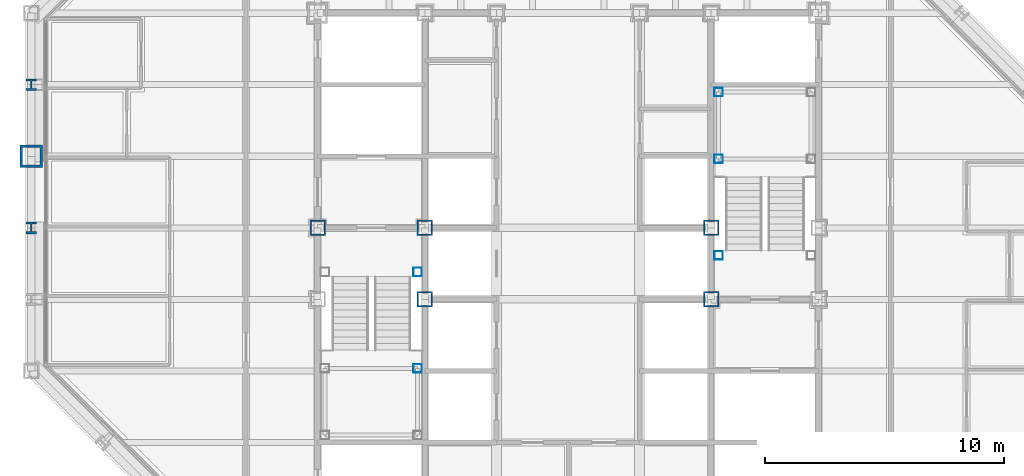
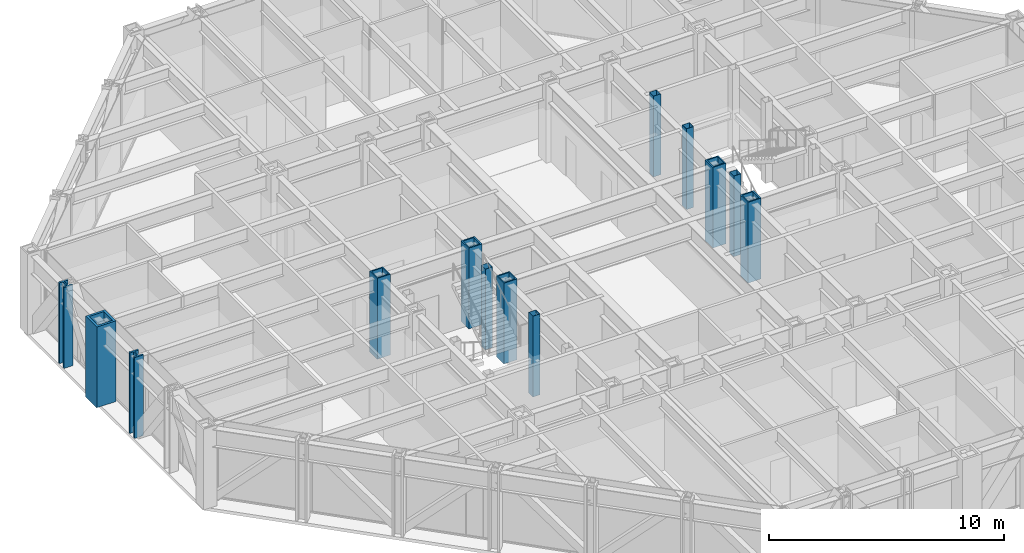
# One storey, part 2 of 16: 13 columns.
"""IFC4 building model written with IfcOpenShell, lengths in metres."""

from ifc_helpers import new_model, si_unit, direction, frame, origin, origin_2d, place, context, subcontext, project, spatial, hollow_rectangle, i_section, extrude, material, material_profile, profile_set, type_object, element, save


model = new_model("IFC4")

# Units and contexts
model_context = context("Model", 3, precision=1e-05, world=origin(), true_north=direction((0.0, 1.0)))
body_context = subcontext(model_context, "Body", "Model", "MODEL_VIEW")
ifc_project = project(units=[si_unit("LENGTHUNIT", "METRE"), si_unit("AREAUNIT", "SQUARE_METRE"), si_unit("VOLUMEUNIT", "CUBIC_METRE"), si_unit("PLANEANGLEUNIT", "RADIAN"), si_unit("MASSUNIT", "GRAM", prefix="KILO")], contexts=[model_context])

# Site, building, storey
site_placement = place(None, origin())
site = spatial("IfcSite", under=ifc_project, at=site_placement, CompositionType="ELEMENT")
building_placement = place(site_placement, origin())
building = spatial("IfcBuilding", under=site, at=building_placement, Name="Chuquiago Exchange Tower", CompositionType="ELEMENT")
storey_placement = place(building_placement, frame((0.0, 0.0, 201.300048828125)))
storey = spatial("IfcBuildingStorey", under=building, at=storey_placement, Name="L44", CompositionType="ELEMENT", Elevation=201.300048828125)

# Columns
ifc_material_1 = material(Name="Steel ASTM A992", Category="steel")
ifc_material_profile_1 = material_profile(ifc_material_1, i_section(OverallWidth=0.431884765625, OverallDepth=0.497802734375, WebThickness=0.0556640625, FlangeThickness=0.0888671875, at=origin_2d()), Name="W14X500")
ifc_profile_set_1 = profile_set([ifc_material_profile_1], Name="Steel ASTM A992")
column_type_1 = type_object("IfcColumnType", Name="C4 W14X500", PredefinedType="COLUMN", material=ifc_profile_set_1)
for number, where, z_axis, x_axis, name in (
    (1, (0.0, 30.0, 0.0), (0.0, 0.0, 1.0), (-1.0, 0.0, 0.0), "COL-L44-0_30"),
    (2, (0.0, 24.0, 0.0), (0.0, 0.0, 1.0), (-1.0, 0.0, 0.0), "COL-L44-0_24"),
):
    element("IfcColumn", number, at=place(storey_placement, frame(where, z_axis=z_axis, x_axis=x_axis)), inside=storey, type_object=column_type_1, Name=name, PredefinedType="COLUMN", context=body_context, shape_type="SweptSolid", body=[
        extrude(i_section(OverallWidth=0.431884765625, OverallDepth=0.497802734375, WebThickness=0.0556640625, FlangeThickness=0.0888671875, at=origin_2d()), origin(), (0.0, 0.0, 1.0), 4.199951171875),
    ])
ifc_material_2 = material(Name="Steel ASTM A572 Grade 50", Category="steel")
ifc_material_profile_2 = material_profile(ifc_material_2, hollow_rectangle(XDim=0.64990234375, YDim=0.64990234375, WallThickness=0.06494140625, at=origin_2d()), Name="BOX650X650X65")
ifc_profile_set_2 = profile_set([ifc_material_profile_2], Name="Steel ASTM A572 Grade 50")
column_type_2 = type_object("IfcColumnType", Name="CC4 BOX650X650X65", PredefinedType="COLUMN", material=ifc_profile_set_2)
for number, where, z_axis, x_axis, name in (
    (3, (12.0, 24.0, 0.0), (0.0, 0.0, 1.0), (1.0, 0.0, 0.0), "CCOL-L44-12_24"),
    (4, (16.5, 21.0, 0.0), (0.0, 0.0, 1.0), (1.0, 0.0, 0.0), "CCOL-L44-16.5_21"),
    (5, (16.5, 24.0, 0.0), (0.0, 0.0, 1.0), (1.0, 0.0, 0.0), "CCOL-L44-16.5_24"),
    (6, (28.5, 21.0, 0.0), (0.0, 0.0, 1.0), (1.0, 0.0, 0.0), "CCOL-L44-28.5_21"),
    (7, (28.5, 24.0, 0.0), (0.0, 0.0, 1.0), (1.0, 0.0, 0.0), "CCOL-L44-28.5_24"),
):
    element("IfcColumn", number, at=place(storey_placement, frame(where, z_axis=z_axis, x_axis=x_axis)), inside=storey, type_object=column_type_2, Name=name, PredefinedType="COLUMN", context=body_context, shape_type="SweptSolid", body=[
        extrude(hollow_rectangle(XDim=0.64990234375, YDim=0.64990234375, WallThickness=0.06494140625, at=origin_2d()), origin(), (0.0, 0.0, 1.0), 4.199951171875),
    ])
ifc_material_3 = material(Name="Steel ASTM A572 Grade 42", Category="steel")
ifc_material_profile_3 = material_profile(ifc_material_3, hollow_rectangle(XDim=0.949951171875, YDim=0.949951171875, WallThickness=0.110107421875, at=origin_2d()), Name="BOX950X950X110")
ifc_profile_set_3 = profile_set([ifc_material_profile_3], Name="Steel ASTM A572 Grade 42")
column_type_3 = type_object("IfcColumnType", Name="CT1 BOX950X950X110", PredefinedType="COLUMN", material=ifc_profile_set_3)
column_placement = place(storey_placement, frame((0.0, 27.0, 0.0), z_axis=(0.0, 0.0, 1.0), x_axis=(-1.0, 0.0, 0.0)))
element("IfcColumn", 8, at=column_placement, inside=storey, type_object=column_type_3, Name="COL-L44-0_27", PredefinedType="COLUMN", context=body_context, shape_type="SweptSolid", body=[
    extrude(hollow_rectangle(XDim=0.949951171875, YDim=0.949951171875, WallThickness=0.110107421875, at=origin_2d()), origin(), (0.0, 0.0, 1.0), 4.199951171875),
])
ifc_material_4 = material(Name="Steel ASTM A500 Grade C", Category="steel")
ifc_material_profile_4 = material_profile(ifc_material_4, hollow_rectangle(XDim=0.355712890625, YDim=0.355712890625, WallThickness=0.0087890625, at=origin_2d()), Name="HSS14X14X3/8")
ifc_profile_set_4 = profile_set([ifc_material_profile_4], Name="Steel ASTM A500 Grade C")
column_type_4 = type_object("IfcColumnType", Name="PT1 HSS14X14X3/8", PredefinedType="COLUMN", material=ifc_profile_set_4)
for number, where, z_axis, x_axis, name in (
    (9, (16.18994140625, 18.110107421875, 0.0), (0.0, 0.0, 1.0), (1.0, 0.0, 0.0), "Stair ST1 L44 landing post"),
    (10, (16.18994140625, 22.14990234375, 0.0), (0.0, 0.0, 1.0), (1.0, 0.0, 0.0), "Stair ST1 L44 landing post"),
    (11, (28.81005859375, 29.68994140625, 0.0), (0.0, 0.0, 1.0), (1.0, 0.0, 0.0), "Stair ST2 L44 landing post"),
    (12, (28.81005859375, 26.889892578125, 0.0), (0.0, 0.0, 1.0), (1.0, 0.0, 0.0), "Stair ST2 L44 landing post"),
    (13, (28.81005859375, 22.85009765625, 0.0), (0.0, 0.0, 1.0), (1.0, 0.0, 0.0), "Stair ST2 L44 landing post"),
):
    element("IfcColumn", number, at=place(storey_placement, frame(where, z_axis=z_axis, x_axis=x_axis)), inside=storey, type_object=column_type_4, Name=name, PredefinedType="COLUMN", context=body_context, shape_type="SweptSolid", body=[
        extrude(hollow_rectangle(XDim=0.355712890625, YDim=0.355712890625, WallThickness=0.0087890625, at=origin_2d()), origin(), (0.0, 0.0, 1.0), 4.199951171875),
    ])

save(model, "model.ifc")
